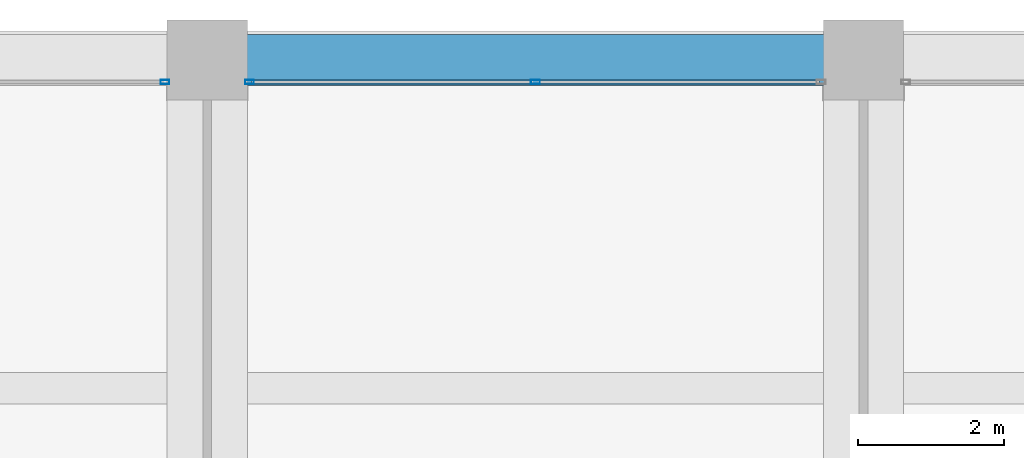
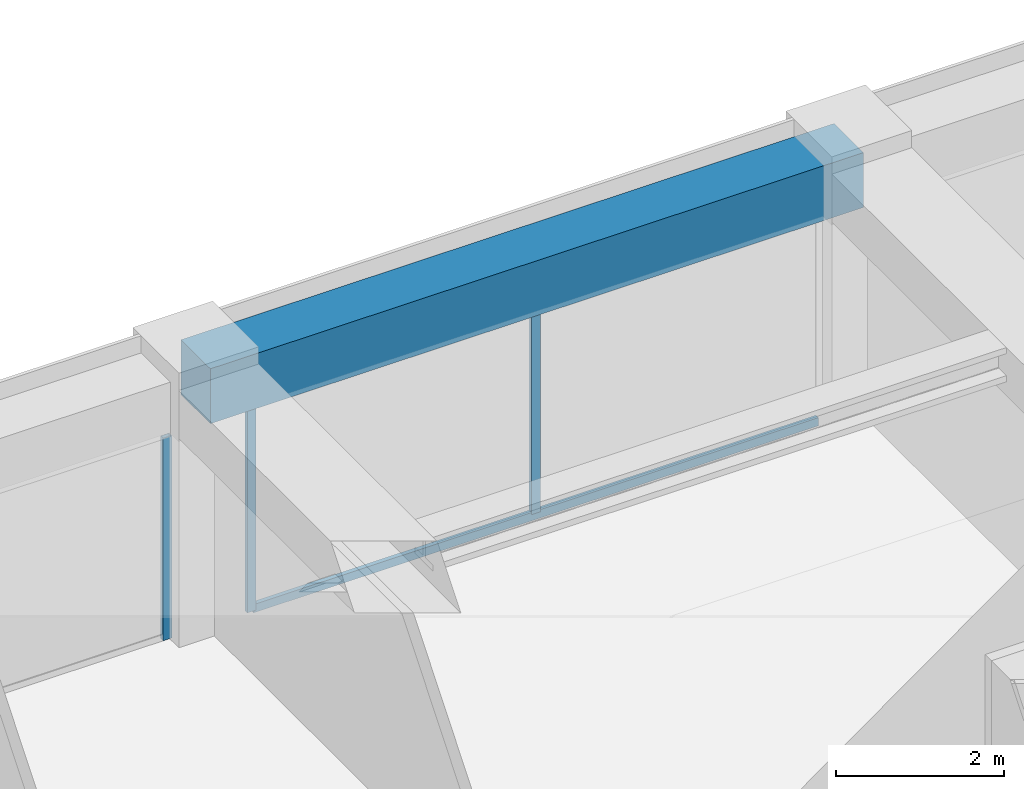
# One storey, part 33 of 44: 4 members, 1 beam, 2 elements without a shape of their own.
"""IFC4 building model written with IfcOpenShell, lengths in metres."""

from ifc_helpers import new_model, si_unit, direction, frame, origin, origin_2d, place, context, subcontext, project, spatial, rectangle, hollow_rectangle, extrude, material, material_profile, profile_set, type_object, element, aggregate, save


model = new_model("IFC4")

# Units and contexts
model_context = context("Model", 3, precision=1e-05, world=origin(), true_north=direction((0.0, 1.0)))
body_context = subcontext(model_context, "Body", "Model", "MODEL_VIEW")
ifc_project = project(units=[si_unit("LENGTHUNIT", "METRE"), si_unit("AREAUNIT", "SQUARE_METRE"), si_unit("VOLUMEUNIT", "CUBIC_METRE"), si_unit("PLANEANGLEUNIT", "RADIAN"), si_unit("MASSUNIT", "GRAM", prefix="KILO")], contexts=[model_context])

# Site, building, storey
site_placement = place(None, origin())
site = spatial("IfcSite", under=ifc_project, at=site_placement, CompositionType="ELEMENT")
building_placement = place(site_placement, origin())
building = spatial("IfcBuilding", under=site, at=building_placement, Name="Zorevar Civic Tower", CompositionType="ELEMENT")
storey_placement = place(building_placement, frame((0.0, 0.0, 299.39990234375)))
storey = spatial("IfcBuildingStorey", under=building, at=storey_placement, Name="L73", CompositionType="ELEMENT", Elevation=299.39990234375)

# Curtain wall, member
ifc_material_1 = material(Name="Dark grey solar-control glass in black aluminium frame", Category="aluminium")
curtain_wall_type = type_object("IfcCurtainWallType", Name="Curtain wall CW5 top zone", PredefinedType="NOTDEFINED", material=ifc_material_1)
curtain_wall_1_placement = place(storey_placement, origin())
curtain_wall_1 = element("IfcCurtainWall", 1, at=curtain_wall_1_placement, inside=storey, type_object=curtain_wall_type, Name="CW5 L73", PredefinedType="NOTDEFINED")
ifc_material_2 = material(Name="Aluminium, black anodised", Category="aluminium")
ifc_material_profile_1 = material_profile(ifc_material_2, hollow_rectangle(XDim=0.06005859375, YDim=0.1201171875, WallThickness=0.0029296875, at=origin_2d()), Name="AL 120x60x3")
ifc_profile_set_1 = profile_set([ifc_material_profile_1], Name="Aluminium, black anodised")
member_type_1 = type_object("IfcMemberType", Name="CW5 mullion AL 120x60x3", PredefinedType="MULLION", material=ifc_profile_set_1)
member_1_placement = place(storey_placement, frame((26.419921875, 44.699951171875, 0.0), z_axis=(0.0, 0.0, 1.0), x_axis=(0.0, 1.0, 0.0)))
member_1 = element("IfcMember", 2, at=member_1_placement, type_object=member_type_1, Name="CW5 mullion 3", PredefinedType="MULLION", context=body_context, shape_type="SweptSolid", body=[
    extrude(hollow_rectangle(XDim=0.06005859375, YDim=0.1201171875, WallThickness=0.0029296875, at=origin_2d()), origin(), (0.0, 0.0, 1.0), 2.9501953125),
])
aggregate(curtain_wall_1, [member_1])

# Curtain wall, members
curtain_wall_2_placement = place(storey_placement, origin())
curtain_wall_2 = element("IfcCurtainWall", 3, at=curtain_wall_2_placement, inside=storey, type_object=curtain_wall_type, Name="CW5 L73", PredefinedType="NOTDEFINED")
member_2_placement = place(storey_placement, frame((27.580078125, 44.699951171875, 0.0), z_axis=(0.0, 0.0, 1.0), x_axis=(0.0, 1.0, 0.0)))
member_2 = element("IfcMember", 4, at=member_2_placement, type_object=member_type_1, Name="CW5 mullion 1", PredefinedType="MULLION", context=body_context, shape_type="SweptSolid", body=[
    extrude(hollow_rectangle(XDim=0.06005859375, YDim=0.1201171875, WallThickness=0.0029296875, at=origin_2d()), origin(), (0.0, 0.0, 1.0), 2.9501953125),
])
member_3_placement = place(storey_placement, frame((31.5, 44.699951171875, 0.06005859375), z_axis=(0.0, 0.0, 1.0), x_axis=(0.0, 1.0, 0.0)))
member_3 = element("IfcMember", 5, at=member_3_placement, type_object=member_type_1, Name="CW5 mullion 2", PredefinedType="MULLION", context=body_context, shape_type="SweptSolid", body=[
    extrude(hollow_rectangle(XDim=0.06005859375, YDim=0.1201171875, WallThickness=0.0029296875, at=origin_2d()), origin(), (0.0, 0.0, 1.0), 2.89013671875),
])
ifc_material_3 = material(Name="Aluminium, black anodised", Category="aluminium")
ifc_material_profile_2 = material_profile(ifc_material_3, hollow_rectangle(XDim=0.06005859375, YDim=0.1201171875, WallThickness=0.0029296875, at=origin_2d()), Name="AL 120x60x3")
ifc_profile_set_2 = profile_set([ifc_material_profile_2], Name="Aluminium, black anodised")
member_type_2 = type_object("IfcMemberType", Name="CW5 transom AL 120x60x3", PredefinedType="USERDEFINED", material=ifc_profile_set_2)
member_4_placement = place(storey_placement, frame((27.610107421875, 44.699951171875, 0.030029296875), z_axis=(1.0, 0.0, 0.0), x_axis=(0.0, 1.0, 0.0)))
member_4 = element("IfcMember", 6, at=member_4_placement, type_object=member_type_2, Name="CW5 sill transom", ObjectType="TRANSOM", PredefinedType="USERDEFINED", context=body_context, shape_type="SweptSolid", body=[
    extrude(hollow_rectangle(XDim=0.06005859375, YDim=0.1201171875, WallThickness=0.0029296875, at=origin_2d()), origin(), (0.0, 0.0, 1.0), 7.77978515625),
])
aggregate(curtain_wall_2, [member_2, member_3, member_4])

# Beam
ifc_material_4 = material(Name="Concrete C50/60", Category="concrete")
ifc_material_profile_3 = material_profile(ifc_material_4, rectangle(XDim=0.699951171875, YDim=0.800048828125, at=origin_2d()), Name="RC 700x800")
ifc_profile_set_3 = profile_set([ifc_material_profile_3], Name="Concrete C50/60")
beam_type = type_object("IfcBeamType", Name="Edge beam RC 700x800", PredefinedType="SPANDREL", material=ifc_profile_set_3)
beam_placement = place(storey_placement, frame((27.0, 45.0, 3.35009765625), z_axis=(1.0, 0.0, 0.0), x_axis=(0.0, 1.0, 0.0)))
element("IfcBeam", 7, at=beam_placement, inside=storey, type_object=beam_type, Name="Edge beam L74", PredefinedType="SPANDREL", context=body_context, shape_type="SweptSolid", body=[
    extrude(rectangle(XDim=0.699951171875, YDim=0.800048828125, at=origin_2d()), origin(), (0.0, 0.0, 1.0), 9.0),
])

save(model, "model.ifc")
